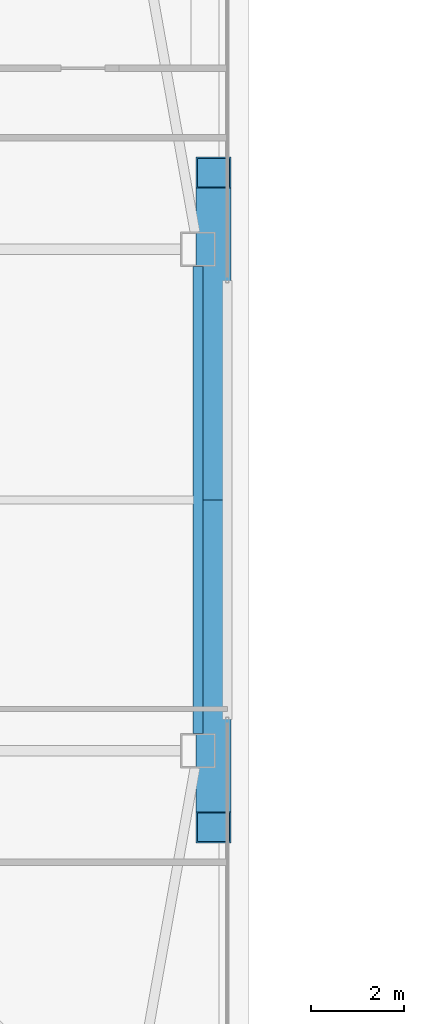
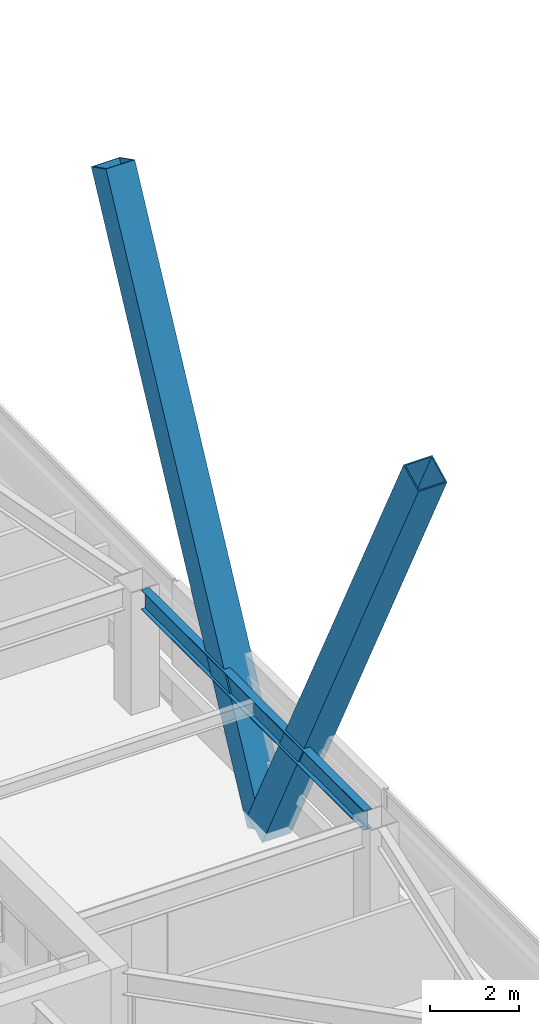
# One storey, part 12 of 47: 2 members, 1 beam.
"""IFC4 building model written with IfcOpenShell, lengths in metres."""

from ifc_helpers import new_model, si_unit, direction, frame, origin, origin_2d, place, context, subcontext, project, spatial, hollow_rectangle, i_section, extrude, material, material_profile, profile_set, type_object, element, save


model = new_model("IFC4")

# Units and contexts
model_context = context("Model", 3, precision=1e-05, world=origin(), true_north=direction((0.0, 1.0)))
body_context = subcontext(model_context, "Body", "Model", "MODEL_VIEW")
ifc_project = project(units=[si_unit("LENGTHUNIT", "METRE"), si_unit("AREAUNIT", "SQUARE_METRE"), si_unit("VOLUMEUNIT", "CUBIC_METRE"), si_unit("PLANEANGLEUNIT", "RADIAN"), si_unit("MASSUNIT", "GRAM", prefix="KILO")], contexts=[model_context])

# Site, building, storey
site_placement = place(None, origin())
site = spatial("IfcSite", under=ifc_project, at=site_placement, CompositionType="ELEMENT")
building_placement = place(site_placement, origin())
building = spatial("IfcBuilding", under=site, at=building_placement, Name="Tashvorn Skyway Center", CompositionType="ELEMENT")
storey_placement = place(building_placement, frame((0.0, 0.0, 204.199951171875)))
storey = spatial("IfcBuildingStorey", under=building, at=storey_placement, Name="L55", CompositionType="ELEMENT", Elevation=204.199951171875)

# Beam
ifc_material_1 = material(Name="Steel ASTM A992 Grade 50", Category="steel")
ifc_material_profile_1 = material_profile(ifc_material_1, i_section(OverallWidth=0.2109375, OverallDepth=0.5390625, WebThickness=0.01171875, FlangeThickness=0.018798828125, at=origin_2d()), Name="W21X73")
ifc_profile_set_1 = profile_set([ifc_material_profile_1], Name="Steel ASTM A992 Grade 50")
beam_type = type_object("IfcBeamType", Name="BM-SPANDREL-W21X73", PredefinedType="SPANDREL", material=ifc_profile_set_1)
beam_placement = place(storey_placement, frame((57.64990234375, 26.969970703125, 3.1005859375), z_axis=(0.0, 1.0, 0.0), x_axis=(-1.0, 0.0, 0.0)))
element("IfcBeam", 1, at=beam_placement, inside=storey, type_object=beam_type, Name="Tower 1 L55 Spandrel Beam 05", PredefinedType="SPANDREL", context=body_context, shape_type="SweptSolid", body=[
    extrude(i_section(OverallWidth=0.2109375, OverallDepth=0.5390625, WebThickness=0.01171875, FlangeThickness=0.018798828125, at=origin_2d()), origin(), (0.0, 0.0, 1.0), 10.06005859375),
])

# Members
ifc_material_2 = material(Name="Steel ASTM A572 Grade 50", Category="steel")
ifc_material_profile_2 = material_profile(ifc_material_2, hollow_rectangle(XDim=0.75, YDim=0.75, WallThickness=0.031982421875, at=origin_2d()), Name="BOX750x750x32")
ifc_profile_set_2 = profile_set([ifc_material_profile_2], Name="Steel ASTM A572 Grade 50")
member_type = type_object("IfcMemberType", Name="MEM-MB-750", PredefinedType="BRACE", material=ifc_profile_set_2)
for number, where, z_axis, x_axis, name in (
    (2, (57.97998046875, 32.0, -0.199951171875), (0.0, -0.451051930666, 0.892497706351), (1.0, 0.0, 0.0), "Tower 1 Zone 5 E Chevron Mega-Brace L1"),
    (3, (57.97998046875, 32.0, -0.199951171875), (0.0, 0.451051930666, 0.892497706351), (-1.0, 0.0, 0.0), "Tower 1 Zone 5 E Chevron Mega-Brace R1"),
):
    element("IfcMember", number, at=place(storey_placement, frame(where, z_axis=z_axis, x_axis=x_axis)), inside=storey, type_object=member_type, Name=name, PredefinedType="BRACE", context=body_context, shape_type="SweptSolid", body=[
        extrude(hollow_rectangle(XDim=0.75, YDim=0.75, WallThickness=0.031982421875, at=origin_2d()), origin(), (0.0, 0.0, 1.0), 15.630126953125),
    ])

save(model, "model.ifc")
